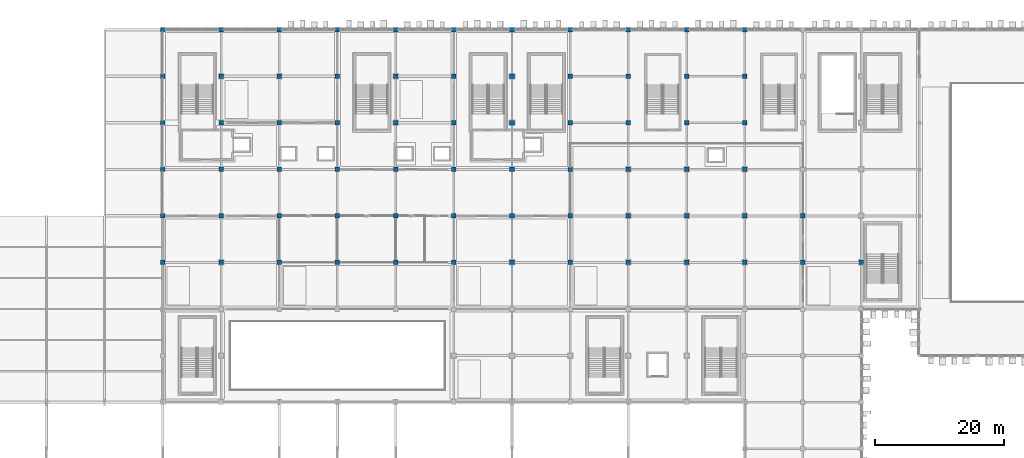
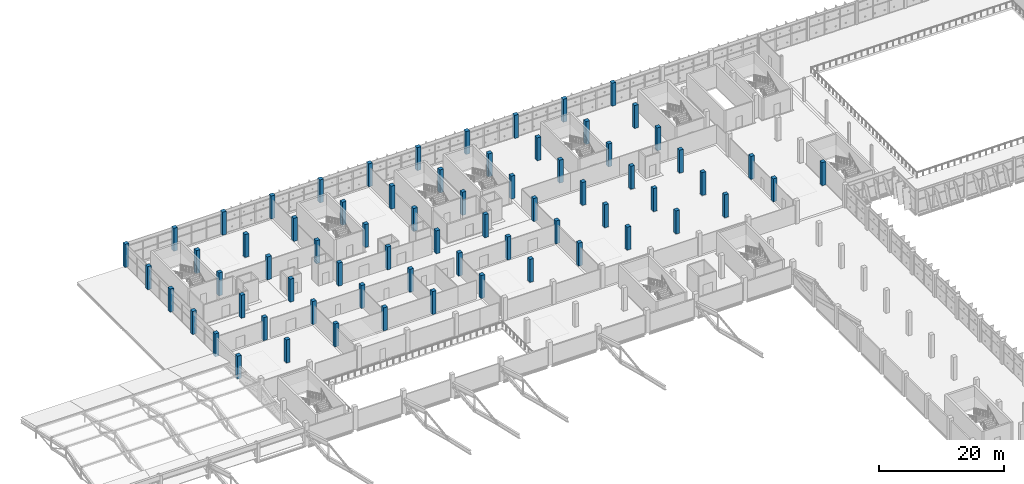
# One storey, part 11 of 151: 69 columns.
"""IFC4 building model written with IfcOpenShell, lengths in metres."""

from ifc_helpers import new_model, si_unit, direction, frame, origin, origin_2d, place, context, subcontext, project, spatial, rectangle, extrude, material, material_profile, profile_set, type_object, element, save


model = new_model("IFC4")

# Units and contexts
model_context = context("Model", 3, precision=1e-05, world=origin(), true_north=direction((0.0, 1.0)))
body_context = subcontext(model_context, "Body", "Model", "MODEL_VIEW")
ifc_project = project(units=[si_unit("LENGTHUNIT", "METRE"), si_unit("AREAUNIT", "SQUARE_METRE"), si_unit("VOLUMEUNIT", "CUBIC_METRE"), si_unit("PLANEANGLEUNIT", "RADIAN"), si_unit("MASSUNIT", "GRAM", prefix="KILO")], contexts=[model_context])

# Site, building, storey
site_placement = place(None, origin())
site = spatial("IfcSite", under=ifc_project, at=site_placement, CompositionType="ELEMENT")
building_placement = place(site_placement, origin())
building = spatial("IfcBuilding", under=site, at=building_placement, Name="Celestram Park Convention Centre", CompositionType="ELEMENT")
storey_placement = place(building_placement, frame((0.0, 0.0, 10.800048828125)))
storey = spatial("IfcBuildingStorey", under=building, at=storey_placement, Name="L02", CompositionType="ELEMENT", Elevation=10.800048828125)

# Columns
ifc_material = material(Name="Concrete C40/50", Category="concrete")
ifc_material_profile = material_profile(ifc_material, rectangle(XDim=0.699951171875, YDim=0.699951171875, at=origin_2d()), Name="RC700X700")
ifc_profile_set = profile_set([ifc_material_profile], Name="Concrete C40/50")
column_type = type_object("IfcColumnType", Name="STR-COL-RC700", PredefinedType="COLUMN", material=ifc_profile_set)
for number, where, z_axis, x_axis, name in (
    (1, (36.0, 129.60009765625, 0.0), (0.0, 0.0, 1.0), (1.0, 0.0, 0.0), "Column CN-L02-024"),
    (2, (36.0, 136.800048828125, 0.0), (0.0, 0.0, 1.0), (1.0, 0.0, 0.0), "Column CN-L02-025"),
    (3, (36.0, 144.0, 0.0), (0.0, 0.0, 1.0), (1.0, 0.0, 0.0), "Column CN-L02-026"),
    (4, (36.0, 151.199951171875, 0.0), (0.0, 0.0, 1.0), (1.0, 0.0, 0.0), "Column CN-L02-027"),
    (5, (36.0, 158.39990234375, 0.0), (0.0, 0.0, 1.0), (1.0, 0.0, 0.0), "Column CN-L02-028"),
    (6, (36.0, 165.60009765625, 0.0), (0.0, 0.0, 1.0), (1.0, 0.0, 0.0), "Column CN-L02-029"),
    (7, (45.0, 129.60009765625, 0.0), (0.0, 0.0, 1.0), (1.0, 0.0, 0.0), "Column CN-L02-034"),
    (8, (45.0, 136.800048828125, 0.0), (0.0, 0.0, 1.0), (1.0, 0.0, 0.0), "Column CN-L02-035"),
    (9, (45.0, 144.0, 0.0), (0.0, 0.0, 1.0), (1.0, 0.0, 0.0), "Column CN-L02-036"),
    (10, (45.0, 151.199951171875, 0.0), (0.0, 0.0, 1.0), (1.0, 0.0, 0.0), "Column CN-L02-037"),
    (11, (45.0, 158.39990234375, 0.0), (0.0, 0.0, 1.0), (1.0, 0.0, 0.0), "Column CN-L02-038"),
    (12, (45.0, 165.60009765625, 0.0), (0.0, 0.0, 1.0), (1.0, 0.0, 0.0), "Column CN-L02-039"),
    (13, (54.0, 129.60009765625, 0.0), (0.0, 0.0, 1.0), (1.0, 0.0, 0.0), "Column CN-L02-043"),
    (14, (54.0, 136.800048828125, 0.0), (0.0, 0.0, 1.0), (1.0, 0.0, 0.0), "Column CN-L02-044"),
    (15, (54.0, 144.0, 0.0), (0.0, 0.0, 1.0), (1.0, 0.0, 0.0), "Column CN-L02-045"),
    (16, (54.0, 151.199951171875, 0.0), (0.0, 0.0, 1.0), (1.0, 0.0, 0.0), "Column CN-L02-046"),
    (17, (54.0, 158.39990234375, 0.0), (0.0, 0.0, 1.0), (1.0, 0.0, 0.0), "Column CN-L02-047"),
    (18, (54.0, 165.60009765625, 0.0), (0.0, 0.0, 1.0), (1.0, 0.0, 0.0), "Column CN-L02-048"),
    (19, (63.0, 129.60009765625, 0.0), (0.0, 0.0, 1.0), (1.0, 0.0, 0.0), "Column CN-L02-052"),
    (20, (63.0, 136.800048828125, 0.0), (0.0, 0.0, 1.0), (1.0, 0.0, 0.0), "Column CN-L02-053"),
    (21, (63.0, 144.0, 0.0), (0.0, 0.0, 1.0), (1.0, 0.0, 0.0), "Column CN-L02-054"),
    (22, (63.0, 151.199951171875, 0.0), (0.0, 0.0, 1.0), (1.0, 0.0, 0.0), "Column CN-L02-055"),
    (23, (63.0, 158.39990234375, 0.0), (0.0, 0.0, 1.0), (1.0, 0.0, 0.0), "Column CN-L02-056"),
    (24, (63.0, 165.60009765625, 0.0), (0.0, 0.0, 1.0), (1.0, 0.0, 0.0), "Column CN-L02-057"),
    (25, (72.0, 129.60009765625, 0.0), (0.0, 0.0, 1.0), (1.0, 0.0, 0.0), "Column CN-L02-061"),
    (26, (72.0, 136.800048828125, 0.0), (0.0, 0.0, 1.0), (1.0, 0.0, 0.0), "Column CN-L02-062"),
    (27, (72.0, 144.0, 0.0), (0.0, 0.0, 1.0), (1.0, 0.0, 0.0), "Column CN-L02-063"),
    (28, (72.0, 151.199951171875, 0.0), (0.0, 0.0, 1.0), (1.0, 0.0, 0.0), "Column CN-L02-064"),
    (29, (72.0, 158.39990234375, 0.0), (0.0, 0.0, 1.0), (1.0, 0.0, 0.0), "Column CN-L02-065"),
    (30, (72.0, 165.60009765625, 0.0), (0.0, 0.0, 1.0), (1.0, 0.0, 0.0), "Column CN-L02-066"),
    (31, (81.0, 129.60009765625, 0.0), (0.0, 0.0, 1.0), (1.0, 0.0, 0.0), "Column CN-L02-071"),
    (32, (81.0, 136.800048828125, 0.0), (0.0, 0.0, 1.0), (1.0, 0.0, 0.0), "Column CN-L02-072"),
    (33, (81.0, 144.0, 0.0), (0.0, 0.0, 1.0), (1.0, 0.0, 0.0), "Column CN-L02-073"),
    (34, (81.0, 151.199951171875, 0.0), (0.0, 0.0, 1.0), (1.0, 0.0, 0.0), "Column CN-L02-074"),
    (35, (81.0, 158.39990234375, 0.0), (0.0, 0.0, 1.0), (1.0, 0.0, 0.0), "Column CN-L02-075"),
    (36, (81.0, 165.60009765625, 0.0), (0.0, 0.0, 1.0), (1.0, 0.0, 0.0), "Column CN-L02-076"),
    (37, (90.0, 129.60009765625, 0.0), (0.0, 0.0, 1.0), (1.0, 0.0, 0.0), "Column CN-L02-081"),
    (38, (90.0, 136.800048828125, 0.0), (0.0, 0.0, 1.0), (1.0, 0.0, 0.0), "Column CN-L02-082"),
    (39, (90.0, 144.0, 0.0), (0.0, 0.0, 1.0), (1.0, 0.0, 0.0), "Column CN-L02-083"),
    (40, (90.0, 151.199951171875, 0.0), (0.0, 0.0, 1.0), (1.0, 0.0, 0.0), "Column CN-L02-084"),
    (41, (90.0, 158.39990234375, 0.0), (0.0, 0.0, 1.0), (1.0, 0.0, 0.0), "Column CN-L02-085"),
    (42, (90.0, 165.60009765625, 0.0), (0.0, 0.0, 1.0), (1.0, 0.0, 0.0), "Column CN-L02-086"),
    (43, (99.0, 129.60009765625, 0.0), (0.0, 0.0, 1.0), (1.0, 0.0, 0.0), "Column CN-L02-091"),
    (44, (99.0, 136.800048828125, 0.0), (0.0, 0.0, 1.0), (1.0, 0.0, 0.0), "Column CN-L02-092"),
    (45, (99.0, 144.0, 0.0), (0.0, 0.0, 1.0), (1.0, 0.0, 0.0), "Column CN-L02-093"),
    (46, (99.0, 151.199951171875, 0.0), (0.0, 0.0, 1.0), (1.0, 0.0, 0.0), "Column CN-L02-094"),
    (47, (99.0, 158.39990234375, 0.0), (0.0, 0.0, 1.0), (1.0, 0.0, 0.0), "Column CN-L02-095"),
    (48, (99.0, 165.60009765625, 0.0), (0.0, 0.0, 1.0), (1.0, 0.0, 0.0), "Column CN-L02-096"),
    (49, (108.0, 129.60009765625, 0.0), (0.0, 0.0, 1.0), (1.0, 0.0, 0.0), "Column CN-L02-101"),
    (50, (108.0, 136.800048828125, 0.0), (0.0, 0.0, 1.0), (1.0, 0.0, 0.0), "Column CN-L02-102"),
    (51, (108.0, 144.0, 0.0), (0.0, 0.0, 1.0), (1.0, 0.0, 0.0), "Column CN-L02-103"),
    (52, (108.0, 151.199951171875, 0.0), (0.0, 0.0, 1.0), (1.0, 0.0, 0.0), "Column CN-L02-104"),
    (53, (108.0, 158.39990234375, 0.0), (0.0, 0.0, 1.0), (1.0, 0.0, 0.0), "Column CN-L02-105"),
    (54, (108.0, 165.60009765625, 0.0), (0.0, 0.0, 1.0), (1.0, 0.0, 0.0), "Column CN-L02-106"),
    (55, (117.0, 129.60009765625, 0.0), (0.0, 0.0, 1.0), (1.0, 0.0, 0.0), "Column CN-L02-111"),
    (56, (117.0, 136.800048828125, 0.0), (0.0, 0.0, 1.0), (1.0, 0.0, 0.0), "Column CN-L02-112"),
    (57, (117.0, 144.0, 0.0), (0.0, 0.0, 1.0), (1.0, 0.0, 0.0), "Column CN-L02-113"),
    (58, (117.0, 151.199951171875, 0.0), (0.0, 0.0, 1.0), (1.0, 0.0, 0.0), "Column CN-L02-114"),
    (59, (117.0, 158.39990234375, 0.0), (0.0, 0.0, 1.0), (1.0, 0.0, 0.0), "Column CN-L02-115"),
    (60, (117.0, 165.60009765625, 0.0), (0.0, 0.0, 1.0), (1.0, 0.0, 0.0), "Column CN-L02-116"),
    (61, (126.0, 129.60009765625, 0.0), (0.0, 0.0, 1.0), (1.0, 0.0, 0.0), "Column CN-L02-132"),
    (62, (126.0, 136.800048828125, 0.0), (0.0, 0.0, 1.0), (1.0, 0.0, 0.0), "Column CN-L02-133"),
    (63, (126.0, 144.0, 0.0), (0.0, 0.0, 1.0), (1.0, 0.0, 0.0), "Column CN-L02-134"),
    (64, (126.0, 151.199951171875, 0.0), (0.0, 0.0, 1.0), (1.0, 0.0, 0.0), "Column CN-L02-135"),
    (65, (126.0, 158.39990234375, 0.0), (0.0, 0.0, 1.0), (1.0, 0.0, 0.0), "Column CN-L02-136"),
    (66, (126.0, 165.60009765625, 0.0), (0.0, 0.0, 1.0), (1.0, 0.0, 0.0), "Column CN-L02-137"),
    (67, (135.0, 129.60009765625, 0.0), (0.0, 0.0, 1.0), (1.0, 0.0, 0.0), "Column CN-L02-151"),
    (68, (135.0, 136.800048828125, 0.0), (0.0, 0.0, 1.0), (1.0, 0.0, 0.0), "Column CN-L02-152"),
    (69, (144.0, 129.60009765625, 0.0), (0.0, 0.0, 1.0), (1.0, 0.0, 0.0), "Column CN-L02-175"),
):
    element("IfcColumn", number, at=place(storey_placement, frame(where, z_axis=z_axis, x_axis=x_axis)), inside=storey, type_object=column_type, Name=name, PredefinedType="COLUMN", context=body_context, shape_type="SweptSolid", body=[
        extrude(rectangle(XDim=0.699951171875, YDim=0.699951171875, at=origin_2d()), origin(), (0.0, 0.0, 1.0), 4.5),
    ])

save(model, "model.ifc")
